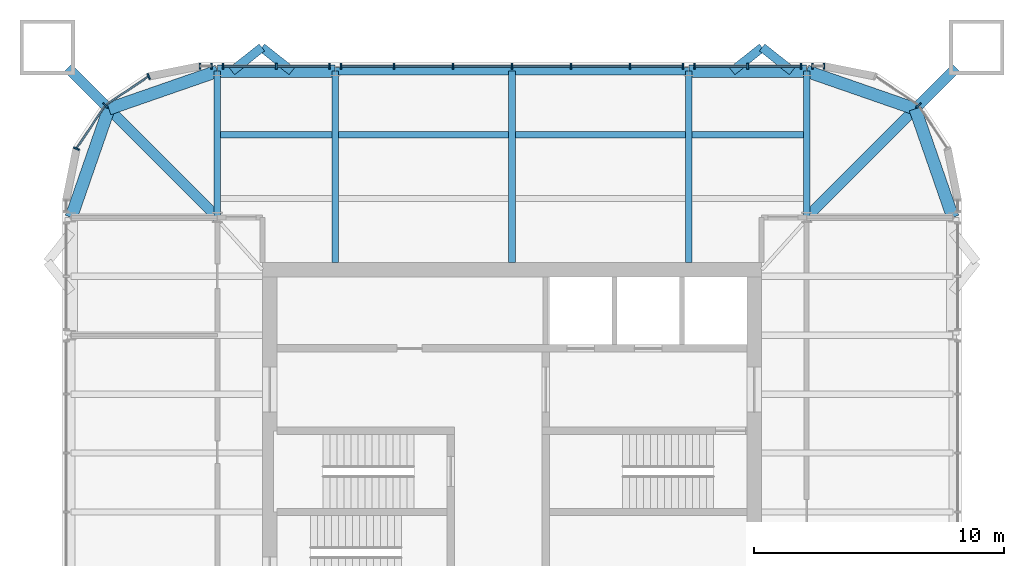
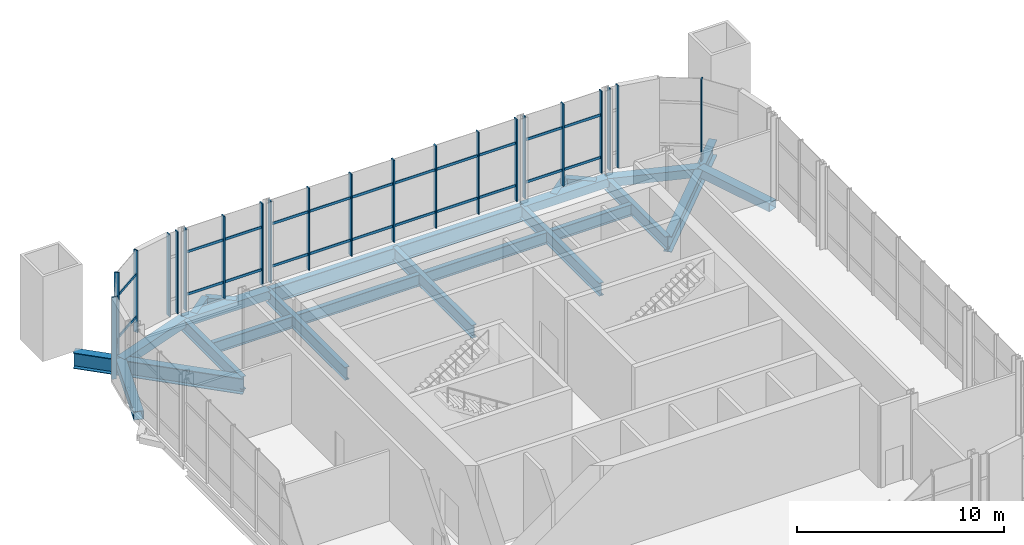
# One storey, part 5 of 15: 45 members, 22 beams, 7 elements without a shape of their own.
"""IFC4 building model written with IfcOpenShell, lengths in metres."""

import ifcopenshell
import ifcopenshell.guid

model = None  # the IFC model being written
_history = None  # IfcOwnerHistory: only IFC2X3 demands one
_inside = {}  # id of a spatial element -> (the spatial element, [elements in it])
_under = {}  # id of a project, library or spatial element -> (it, [spatial elements below it])
_declared = {}  # id of a project -> (the project, [libraries it declares])
_typed = {}  # id of a type object -> (the type object, [elements of that type])
_made_of = {}  # id of a material, layer set ... -> (it, [elements and type objects made of it])


def new_model(schema):
    """Start an empty IFC model of exactly this schema.

    Asked for "IFC4X3", IfcOpenShell would pick the latest addendum, in which some entities
    have other attributes; the version numbers below select the first issue.
    IFC2X3 requires an IfcOwnerHistory on every rooted entity: one is made here for all.
    """
    global model, _history
    if schema == "IFC4X3":
        model = ifcopenshell.file(schema_version=(4, 3, 0, 0))
    else:
        model = ifcopenshell.file(schema=schema)
    _inside.clear()
    _under.clear()
    _declared.clear()
    _typed.clear()
    _made_of.clear()
    _history = None
    if model.schema == "IFC2X3":
        org = make("IfcOrganization", Name="unknown")
        user = make(
            "IfcPersonAndOrganization",
            ThePerson=make("IfcPerson", FamilyName="unknown"),
            TheOrganization=org,
        )
        app = make(
            "IfcApplication",
            ApplicationDeveloper=org,
            Version="unknown",
            ApplicationFullName="unknown",
            ApplicationIdentifier="unknown",
        )
        _history = make(
            "IfcOwnerHistory",
            OwningUser=user,
            OwningApplication=app,
            ChangeAction="ADDED",
            CreationDate=0,
        )
    return model


def make(cls, **values):
    """One entity of the class cls with the attributes given. An attribute that is None is left unset."""
    return model.create_entity(
        cls, **{name: value for name, value in values.items() if value is not None}
    )


def rooted(cls, **values):
    """An entity with a GlobalId (a new one), such as an element, a storey or a relation."""
    return make(cls, GlobalId=ifcopenshell.guid.new(), OwnerHistory=_history, **values)


def si_unit(unit_type, name, prefix=None):
    """IfcSIUnit, for example si_unit("LENGTHUNIT", "METRE", prefix="MILLI")."""
    return make("IfcSIUnit", UnitType=unit_type, Prefix=prefix, Name=name)


def assignment(units):
    """IfcUnitAssignment: the units of a project."""
    return None if units is None else make("IfcUnitAssignment", Units=units)


def point(xyz):
    """IfcCartesianPoint."""
    return None if xyz is None else make("IfcCartesianPoint", Coordinates=xyz)


def direction(xyz):
    """IfcDirection."""
    return None if xyz is None else make("IfcDirection", DirectionRatios=xyz)


def frame(location, z_axis=None, x_axis=None):
    """IfcAxis2Placement3D, a coordinate frame: its origin and axes. An axis left out is left unset."""
    return make(
        "IfcAxis2Placement3D",
        Location=point(location),
        Axis=direction(z_axis),
        RefDirection=direction(x_axis),
    )


def frame_2d(location, x_axis=None):
    """IfcAxis2Placement2D, a coordinate frame in the plane: its origin and x axis."""
    return make(
        "IfcAxis2Placement2D", Location=point(location), RefDirection=direction(x_axis)
    )


def origin():
    """The frame at (0, 0, 0) with its axes left unset."""
    return frame((0.0, 0.0, 0.0))


def origin_2d():
    """The frame at (0, 0) in the plane with its x axis left unset."""
    return frame_2d((0.0, 0.0))


def place(relative_to, where):
    """IfcLocalPlacement: puts the frame where relative to a parent placement (None: the world)."""
    return make(
        "IfcLocalPlacement", PlacementRelTo=relative_to, RelativePlacement=where
    )


def context(
    kind, dimensions, precision=None, world=None, true_north=None, identifier=None
):
    """IfcGeometricRepresentationContext, for example the 3D "Model" context."""
    return make(
        "IfcGeometricRepresentationContext",
        ContextIdentifier=identifier,
        ContextType=kind,
        CoordinateSpaceDimension=dimensions,
        Precision=precision,
        WorldCoordinateSystem=world,
        TrueNorth=true_north,
    )


def subcontext(parent, identifier, kind, view, scale=None):
    """IfcGeometricRepresentationSubContext, for example "Body" below "Model"."""
    return make(
        "IfcGeometricRepresentationSubContext",
        ContextIdentifier=identifier,
        ContextType=kind,
        ParentContext=parent,
        TargetScale=scale,
        TargetView=view,
    )


def project(units=None, contexts=None):
    """IfcProject with its units and contexts."""
    return rooted(
        "IfcProject",
        Name="project",
        RepresentationContexts=contexts,
        UnitsInContext=assignment(units),
    )


def spatial(cls, under=None, at=None, **own):
    """A site, building, storey or space (cls), placed at a placement, below another one or the project."""
    s = rooted(cls, ObjectPlacement=at, **own)
    if under is not None:
        _under.setdefault(under.id(), (under, []))[1].append(s)
    return s


def profile(cls, at=None, kind="AREA", **sizes):
    """A parametric profile (cls). Its sizes go by their IFC names, for example OverallWidth=200.0."""
    return make(cls, ProfileType=kind, Position=at, **sizes)


def rectangle(**sizes):
    """IfcRectangleProfileDef."""
    return profile("IfcRectangleProfileDef", **sizes)


def hollow_rectangle(**sizes):
    """IfcRectangleHollowProfileDef."""
    return profile("IfcRectangleHollowProfileDef", **sizes)


def i_section(**sizes):
    """IfcIShapeProfileDef."""
    return profile("IfcIShapeProfileDef", **sizes)


def extrude(swept, where, along, depth):
    """IfcExtrudedAreaSolid: the profile swept, set in the frame where, extruded along a direction by depth."""
    return make(
        "IfcExtrudedAreaSolid",
        SweptArea=swept,
        Position=where,
        ExtrudedDirection=direction(along),
        Depth=depth,
    )


def shape(context_of_items, identifier, shape_type, items):
    """IfcShapeRepresentation: the items that make up one representation, for example the "Body"."""
    return make(
        "IfcShapeRepresentation",
        ContextOfItems=context_of_items,
        RepresentationIdentifier=identifier,
        RepresentationType=shape_type,
        Items=items,
    )


def material(Name=None, Category=None):
    """IfcMaterial."""
    return make("IfcMaterial", Name=Name, Category=Category)


def material_profile(
    of_material, cross_section, Name=None, Category=None, Priority=None
):
    """IfcMaterialProfile: a cross section and its material."""
    return make(
        "IfcMaterialProfile",
        Name=Name,
        Material=of_material,
        Profile=cross_section,
        Priority=Priority,
        Category=Category,
    )


def profile_set(profiles, Name=None, composite=None):
    """IfcMaterialProfileSet."""
    return make(
        "IfcMaterialProfileSet",
        Name=Name,
        MaterialProfiles=profiles,
        CompositeProfile=composite,
    )


def made_of(thing, what):
    """Note that an element or type object is made of a material, layer set ...; save() writes the relation."""
    if what is not None:
        _made_of.setdefault(what.id(), (what, []))[1].append(thing)
    return thing


def type_object(cls, material=None, **own):
    """A type object (cls), such as IfcWallType, which elements share."""
    return made_of(rooted(cls, **own), material)


def element(
    cls,
    number,
    at=None,
    inside=None,
    cuts=None,
    type_object=None,
    material=None,
    context=None,
    identifier="Body",
    shape_type=None,
    held_by="IfcProductDefinitionShape",
    body=None,
    shapes=None,
    **own,
):
    """One element of the class cls, such as IfcWall. Its Tag is "e" and its number.

    at: its placement. inside: the storey or other place that contains it. cuts: it is an
    opening in that element (IfcRelVoidsElement). A single representation is given by context,
    identifier, shape_type and body (its items); several are given by shapes. held_by: the class
    of the entity that holds the representations. save() writes the other relations.
    """
    e = rooted(cls, Tag="e%d" % number, ObjectPlacement=at, **own)
    if body is not None:
        shapes = [shape(context, identifier, shape_type, body)]
    if shapes is not None:
        e.Representation = make(held_by, Representations=shapes)
    if inside is not None:
        _inside.setdefault(inside.id(), (inside, []))[1].append(e)
    if cuts is not None:
        rooted(
            "IfcRelVoidsElement", RelatingBuildingElement=cuts, RelatedOpeningElement=e
        )
    if type_object is not None:
        _typed.setdefault(type_object.id(), (type_object, []))[1].append(e)
    return made_of(e, material)


def aggregate(whole, parts):
    """IfcRelAggregates: a whole, such as a stair, and the parts it consists of."""
    return rooted("IfcRelAggregates", RelatingObject=whole, RelatedObjects=parts)


def save(model, path):
    """Write the relations noted so far, then the file.

    IfcRelAggregates (storeys below a building ...), IfcRelContainedInSpatialStructure (elements
    in a storey), IfcRelDefinesByType, IfcRelAssociatesMaterial and IfcRelDeclares: one each for
    every whole, place, type object, material and project.
    """
    for whole, parts in _under.values():
        aggregate(whole, parts)
    for where, things in _inside.values():
        rooted(
            "IfcRelContainedInSpatialStructure",
            RelatedElements=things,
            RelatingStructure=where,
        )
    for kind, things in _typed.values():
        rooted("IfcRelDefinesByType", RelatedObjects=things, RelatingType=kind)
    for what, things in _made_of.values():
        rooted("IfcRelAssociatesMaterial", RelatedObjects=things, RelatingMaterial=what)
    for by, libraries in _declared.values():
        rooted("IfcRelDeclares", RelatingContext=by, RelatedDefinitions=libraries)
    model.write(path)


model = new_model("IFC4")

# Units and contexts
model_context = context("Model", 3, precision=1e-05, world=origin(), true_north=direction((0.0, 1.0)))
body_context = subcontext(model_context, "Body", "Model", "MODEL_VIEW")
ifc_project = project(units=[si_unit("LENGTHUNIT", "METRE"), si_unit("AREAUNIT", "SQUARE_METRE"), si_unit("VOLUMEUNIT", "CUBIC_METRE"), si_unit("PLANEANGLEUNIT", "RADIAN"), si_unit("MASSUNIT", "GRAM", prefix="KILO")], contexts=[model_context])

# Site, building, storey
site_placement = place(None, origin())
site = spatial("IfcSite", under=ifc_project, at=site_placement, CompositionType="ELEMENT")
building_placement = place(site_placement, origin())
building = spatial("IfcBuilding", under=site, at=building_placement, Name="Turquesa Mirador Hotel Tower", CompositionType="ELEMENT")
storey_placement = place(building_placement, frame((0.0, 0.0, 261.699951171875)))
storey = spatial("IfcBuildingStorey", under=building, at=storey_placement, Name="L71", CompositionType="ELEMENT", Elevation=261.699951171875)

# Beams
ifc_material_1 = material(Name="Steel ASTM A572 Grade 50", Category="steel")
ifc_material_profile_1 = material_profile(ifc_material_1, hollow_rectangle(XDim=0.5, YDim=0.5, WallThickness=0.01611328125, at=origin_2d()), Name="BOX500X500X16")
ifc_profile_set_1 = profile_set([ifc_material_profile_1], Name="Steel ASTM A572 Grade 50")
beam_type_1 = type_object("IfcBeamType", Name="BEAM BOX500X500X16", PredefinedType="BEAM", material=ifc_profile_set_1)
for number, where, z_axis, x_axis, name in (
    (1, (43.199951171875, 62.64990234375, -0.419921875), (1.0, 0.0, 0.0), (0.0, 1.0, 0.0), "EB-L71-N-L"),
    (2, (62.080078125, 62.64990234375, -0.419921875), (1.0, 0.0, 0.0), (0.0, 1.0, 0.0), "EB-L71-N-R"),
):
    element("IfcBeam", number, at=place(storey_placement, frame(where, z_axis=z_axis, x_axis=x_axis)), inside=storey, type_object=beam_type_1, Name=name, PredefinedType="BEAM", context=body_context, shape_type="SweptSolid", body=[
        extrude(hollow_rectangle(XDim=0.5, YDim=0.5, WallThickness=0.01611328125, at=origin_2d()), origin(), (0.0, 0.0, 1.0), 4.719970703125),
    ])
for number, where, z_axis, x_axis, name in (
    (3, (72.64990234375, 56.800048828125, -0.419921875), (-0.328170356092, 0.944618556552, 0.0), (-0.944618556552, -0.328170356092, 0.0), "KE-L71-1-0"),
    (4, (71.1416015625, 61.1416015625, -0.419921875), (-0.944618556552, 0.328170356092, 0.0), (-0.328170356092, -0.944618556552, 0.0), "KE-L71-1-1"),
    (5, (37.35009765625, 56.800048828125, -0.419921875), (0.328170356092, 0.944618556552, 0.0), (-0.944618556552, 0.328170356092, 0.0), "KE-L71-2-0"),
    (6, (38.8583984375, 61.1416015625, -0.419921875), (0.944618556552, 0.328170356092, 0.0), (-0.328170356092, 0.944618556552, 0.0), "KE-L71-2-1"),
):
    element("IfcBeam", number, at=place(storey_placement, frame(where, z_axis=z_axis, x_axis=x_axis)), inside=storey, type_object=beam_type_1, Name=name, PredefinedType="BEAM", context=body_context, shape_type="SweptSolid", body=[
        extrude(hollow_rectangle(XDim=0.5, YDim=0.5, WallThickness=0.01611328125, at=origin_2d()), origin(), (0.0, 0.0, 1.0), 4.59619140625),
    ])
ifc_material_2 = material(Name="Steel ASTM A992 Grade 50", Category="steel")
ifc_material_profile_2 = material_profile(ifc_material_2, i_section(OverallWidth=0.25390625, OverallDepth=0.683349609375, WebThickness=0.012451171875, FlangeThickness=0.018798828125, at=origin_2d()), Name="W27X94")
ifc_profile_set_2 = profile_set([ifc_material_profile_2], Name="Steel ASTM A992 Grade 50")
beam_type_2 = type_object("IfcBeamType", Name="BEAM W27X94", PredefinedType="BEAM", material=ifc_profile_set_2)
beam_1_placement = place(storey_placement, frame((43.333251953125, 60.10009765625, -0.511474609375), z_axis=(1.0, 0.0, 0.0), x_axis=(0.0, 1.0, 0.0)))
element("IfcBeam", 7, at=beam_1_placement, inside=storey, type_object=beam_type_2, Name="IB-L71-N-2-0", PredefinedType="BEAM", context=body_context, shape_type="SweptSolid", body=[
    extrude(i_section(OverallWidth=0.25390625, OverallDepth=0.683349609375, WebThickness=0.012451171875, FlangeThickness=0.018798828125, at=origin_2d()), origin(), (0.0, 0.0, 1.0), 4.453369140625),
])
for number, where, z_axis, x_axis, name in (
    (8, (48.053466796875, 60.10009765625, -0.511474609375), (1.0, 0.0, 0.0), (0.0, 1.0, 0.0), "IB-L71-N-2-1"),
    (9, (55.13330078125, 60.10009765625, -0.511474609375), (1.0, 0.0, 0.0), (0.0, 1.0, 0.0), "IB-L71-N-2-2"),
):
    element("IfcBeam", number, at=place(storey_placement, frame(where, z_axis=z_axis, x_axis=x_axis)), inside=storey, type_object=beam_type_2, Name=name, PredefinedType="BEAM", context=body_context, shape_type="SweptSolid", body=[
        extrude(i_section(OverallWidth=0.25390625, OverallDepth=0.683349609375, WebThickness=0.012451171875, FlangeThickness=0.018798828125, at=origin_2d()), origin(), (0.0, 0.0, 1.0), 6.813232421875),
    ])
beam_2_placement = place(storey_placement, frame((62.21337890625, 60.10009765625, -0.511474609375), z_axis=(1.0, 0.0, 0.0), x_axis=(0.0, 1.0, 0.0)))
element("IfcBeam", 10, at=beam_2_placement, inside=storey, type_object=beam_type_2, Name="IB-L71-N-2-3", PredefinedType="BEAM", context=body_context, shape_type="SweptSolid", body=[
    extrude(i_section(OverallWidth=0.25390625, OverallDepth=0.683349609375, WebThickness=0.012451171875, FlangeThickness=0.018798828125, at=origin_2d()), origin(), (0.0, 0.0, 1.0), 4.453369140625),
])
ifc_material_3 = material(Name="Steel ASTM A992 Grade 50", Category="steel")
ifc_material_profile_3 = material_profile(ifc_material_3, i_section(OverallWidth=0.2666015625, OverallDepth=0.761962890625, WebThickness=0.014404296875, FlangeThickness=0.021484375, at=origin_2d()), Name="W30X116")
ifc_profile_set_3 = profile_set([ifc_material_profile_3], Name="Steel ASTM A992 Grade 50")
beam_type_3 = type_object("IfcBeamType", Name="BEAM W30X116", PredefinedType="BEAM", material=ifc_profile_set_3)
for number, where, z_axis, x_axis, name in (
    (11, (47.919921875, 62.64990234375, -0.551025390625), (0.0, -1.0, 0.0), (1.0, 0.0, 0.0), "GD-L71-N--7.08"),
    (12, (62.080078125, 62.64990234375, -0.551025390625), (0.0, -1.0, 0.0), (1.0, 0.0, 0.0), "GD-L71-N-+7.08"),
    (13, (55.0, 62.64990234375, -0.551025390625), (0.0, -1.0, 0.0), (1.0, 0.0, 0.0), "GD-L71-N-+0.00"),
):
    element("IfcBeam", number, at=place(storey_placement, frame(where, z_axis=z_axis, x_axis=x_axis)), inside=storey, type_object=beam_type_3, Name=name, PredefinedType="BEAM", context=body_context, shape_type="SweptSolid", body=[
        extrude(i_section(OverallWidth=0.2666015625, OverallDepth=0.761962890625, WebThickness=0.014404296875, FlangeThickness=0.021484375, at=origin_2d()), origin(), (0.0, 0.0, 1.0), 7.64990234375),
    ])
for number, where, z_axis, x_axis, name in (
    (14, (43.199951171875, 62.64990234375, -0.551025390625), (0.0, -1.0, 0.0), (1.0, 0.0, 0.0), "GK-L71-N--11.80"),
    (15, (66.800048828125, 62.64990234375, -0.551025390625), (0.0, -1.0, 0.0), (1.0, 0.0, 0.0), "GK-L71-N-+11.80"),
):
    element("IfcBeam", number, at=place(storey_placement, frame(where, z_axis=z_axis, x_axis=x_axis)), inside=storey, type_object=beam_type_3, Name=name, PredefinedType="BEAM", context=body_context, shape_type="SweptSolid", body=[
        extrude(i_section(OverallWidth=0.2666015625, OverallDepth=0.761962890625, WebThickness=0.014404296875, FlangeThickness=0.021484375, at=origin_2d()), origin(), (0.0, 0.0, 1.0), 5.849853515625),
    ])
ifc_material_4 = material(Name="Steel ASTM A992 Grade 50", Category="steel")
ifc_material_profile_4 = material_profile(ifc_material_4, i_section(OverallWidth=0.3046875, OverallDepth=0.911865234375, WebThickness=0.015869140625, FlangeThickness=0.02392578125, at=origin_2d()), Name="W36X150")
ifc_profile_set_4 = profile_set([ifc_material_profile_4], Name="Steel ASTM A992 Grade 50")
beam_type_4 = type_object("IfcBeamType", Name="BEAM W36X150", PredefinedType="BEAM", material=ifc_profile_set_4)
beam_3_placement = place(storey_placement, frame((47.919921875, 62.64990234375, -0.6259765625), z_axis=(1.0, 0.0, 0.0), x_axis=(0.0, 1.0, 0.0)))
element("IfcBeam", 16, at=beam_3_placement, inside=storey, type_object=beam_type_4, Name="EB-L71-N-C", PredefinedType="BEAM", context=body_context, shape_type="SweptSolid", body=[
    extrude(i_section(OverallWidth=0.3046875, OverallDepth=0.911865234375, WebThickness=0.015869140625, FlangeThickness=0.02392578125, at=origin_2d()), origin(), (0.0, 0.0, 1.0), 14.16015625),
])
ifc_material_5 = material(Name="Steel ASTM A992 Grade 50", Category="steel")
ifc_material_profile_5 = material_profile(ifc_material_5, i_section(OverallWidth=0.419189453125, OverallDepth=0.927001953125, WebThickness=0.019287109375, FlangeThickness=0.031982421875, at=origin_2d()), Name="W36X231")
ifc_profile_set_5 = profile_set([ifc_material_profile_5], Name="Steel ASTM A992 Grade 50")
beam_type_5 = type_object("IfcBeamType", Name="BEAM W36X231", PredefinedType="BEAM", material=ifc_profile_set_5)
for number, where, z_axis, x_axis, name in (
    (17, (66.800048828125, 56.800048828125, -0.633544921875), (0.707106781187, 0.707106781187, 0.0), (-0.707106781187, 0.707106781187, 0.0), "KD-L71-1"),
    (18, (43.199951171875, 56.800048828125, -0.633544921875), (-0.707106781187, 0.707106781187, 0.0), (-0.707106781187, -0.707106781187, 0.0), "KD-L71-2"),
):
    element("IfcBeam", number, at=place(storey_placement, frame(where, z_axis=z_axis, x_axis=x_axis)), inside=storey, type_object=beam_type_5, Name=name, PredefinedType="BEAM", context=body_context, shape_type="SweptSolid", body=[
        extrude(i_section(OverallWidth=0.419189453125, OverallDepth=0.927001953125, WebThickness=0.019287109375, FlangeThickness=0.031982421875, at=origin_2d()), origin(), (0.0, 0.0, 1.0), 8.46240234375),
    ])
ifc_material_6 = material(Name="Steel ASTM A500 Grade C", Category="steel")
ifc_material_profile_6 = material_profile(ifc_material_6, hollow_rectangle(XDim=0.355712890625, YDim=0.355712890625, WallThickness=0.0146484375, at=origin_2d()), Name="HSS14X14X5/8")
ifc_profile_set_6 = profile_set([ifc_material_profile_6], Name="Steel ASTM A500 Grade C")
beam_type_6 = type_object("IfcBeamType", Name="BRACE STRUT HSS14X14X5/8", PredefinedType="BEAM", material=ifc_profile_set_6)
for number, where, z_axis, x_axis, name in (
    (19, (65.015380859375, 63.60009765625, -0.34765625), (-0.783971428146, -0.620796907089, 0.0), (0.620796907089, -0.783971428146, 0.0), "Brace strut"),
    (20, (65.015380859375, 63.60009765625, -0.34765625), (0.783971428146, -0.620796907089, 0.0), (0.620796907089, 0.783971428146, 0.0), "Brace strut"),
    (21, (44.984619140625, 63.60009765625, -0.34765625), (-0.783971428146, -0.620796907089, 0.0), (0.620796907089, -0.783971428146, 0.0), "Brace strut"),
    (22, (44.984619140625, 63.60009765625, -0.34765625), (0.783971428146, -0.620796907089, 0.0), (0.620796907089, 0.783971428146, 0.0), "Brace strut"),
):
    element("IfcBeam", number, at=place(storey_placement, frame(where, z_axis=z_axis, x_axis=x_axis)), inside=storey, type_object=beam_type_6, Name=name, PredefinedType="BEAM", context=body_context, shape_type="SweptSolid", body=[
        extrude(hollow_rectangle(XDim=0.355712890625, YDim=0.355712890625, WallThickness=0.0146484375, at=origin_2d()), origin(), (0.0, 0.0, 1.0), 1.530517578125),
    ])

# Curtain wall, member
ifc_material_7 = material(Name="Aluminium extrusion", Category="aluminium")
curtain_wall_type = type_object("IfcCurtainWallType", Name="CW-5 SKY RESTAURANT CURTAIN WALL", PredefinedType="USERDEFINED", material=ifc_material_7)
curtain_wall_1_placement = place(storey_placement, origin())
curtain_wall_1 = element("IfcCurtainWall", 23, at=curtain_wall_1_placement, inside=storey, type_object=curtain_wall_type, Name="CW-5 SKY RESTAURANT CURTAIN WALL L71", ObjectType="CURTAIN WALL", PredefinedType="USERDEFINED")
ifc_material_8 = material(Name="Aluminium extrusion", Category="aluminium")
ifc_material_profile_7 = material_profile(ifc_material_8, rectangle(XDim=0.06494140625, YDim=0.25, at=origin_2d()), Name="MULLION 65X250")
ifc_profile_set_7 = profile_set([ifc_material_profile_7], Name="Aluminium extrusion")
member_type_1 = type_object("IfcMemberType", Name="CW MULLION 65X250", PredefinedType="MULLION", material=ifc_profile_set_7)
member_1_placement = place(storey_placement, frame((71.282958984375, 61.282958984375, 0.0), z_axis=(0.0, 0.0, 1.0), x_axis=(-0.707106781187, 0.707106781187, 0.0)))
member_1 = element("IfcMember", 24, at=member_1_placement, type_object=member_type_1, Name="Mullion", PredefinedType="MULLION", context=body_context, shape_type="SweptSolid", body=[
    extrude(rectangle(XDim=0.06494140625, YDim=0.25, at=origin_2d()), origin(), (0.0, 0.0, 1.0), 4.830078125),
])
aggregate(curtain_wall_1, [member_1])

# Curtain wall, members
curtain_wall_2_placement = place(storey_placement, origin())
curtain_wall_2 = element("IfcCurtainWall", 25, at=curtain_wall_2_placement, inside=storey, type_object=curtain_wall_type, Name="CW-5 SKY RESTAURANT CURTAIN WALL L71", ObjectType="CURTAIN WALL", PredefinedType="USERDEFINED")
member_2_placement = place(storey_placement, frame((67.5, 62.85009765625, 0.0), z_axis=(0.0, 0.0, 1.0), x_axis=(-1.0, 0.0, 0.0)))
member_2 = element("IfcMember", 26, at=member_2_placement, type_object=member_type_1, Name="Mullion", PredefinedType="MULLION", context=body_context, shape_type="SweptSolid", body=[
    extrude(rectangle(XDim=0.06494140625, YDim=0.25, at=origin_2d()), origin(), (0.0, 0.0, 1.0), 4.830078125),
])
member_3_placement = place(storey_placement, frame((67.033935546875, 62.85009765625, 0.0), z_axis=(0.0, 0.0, 1.0), x_axis=(-1.0, 0.0, 0.0)))
member_3 = element("IfcMember", 27, at=member_3_placement, type_object=member_type_1, Name="Mullion", PredefinedType="MULLION", context=body_context, shape_type="SweptSolid", body=[
    extrude(rectangle(XDim=0.06494140625, YDim=0.25, at=origin_2d()), origin(), (0.0, 0.0, 1.0), 4.830078125),
])
aggregate(curtain_wall_2, [member_2, member_3])

curtain_wall_3_placement = place(storey_placement, origin())
curtain_wall_3 = element("IfcCurtainWall", 28, at=curtain_wall_3_placement, inside=storey, type_object=curtain_wall_type, Name="CW-5 SKY RESTAURANT CURTAIN WALL L71", ObjectType="CURTAIN WALL", PredefinedType="USERDEFINED")
member_4_placement = place(storey_placement, frame((66.566162109375, 62.85009765625, 0.0), z_axis=(0.0, 0.0, 1.0), x_axis=(-1.0, 0.0, 0.0)))
member_4 = element("IfcMember", 29, at=member_4_placement, type_object=member_type_1, Name="Mullion", PredefinedType="MULLION", context=body_context, shape_type="SweptSolid", body=[
    extrude(rectangle(XDim=0.06494140625, YDim=0.25, at=origin_2d()), origin(), (0.0, 0.0, 1.0), 4.830078125),
])
member_5_placement = place(storey_placement, frame((64.43994140625, 62.85009765625, 0.0), z_axis=(0.0, 0.0, 1.0), x_axis=(-1.0, 0.0, 0.0)))
member_5 = element("IfcMember", 30, at=member_5_placement, type_object=member_type_1, Name="Mullion", PredefinedType="MULLION", context=body_context, shape_type="SweptSolid", body=[
    extrude(rectangle(XDim=0.06494140625, YDim=0.25, at=origin_2d()), origin(), (0.0, 0.0, 1.0), 4.830078125),
])
member_6_placement = place(storey_placement, frame((62.31396484375, 62.85009765625, 0.0), z_axis=(0.0, 0.0, 1.0), x_axis=(-1.0, 0.0, 0.0)))
member_6 = element("IfcMember", 31, at=member_6_placement, type_object=member_type_1, Name="Mullion", PredefinedType="MULLION", context=body_context, shape_type="SweptSolid", body=[
    extrude(rectangle(XDim=0.06494140625, YDim=0.25, at=origin_2d()), origin(), (0.0, 0.0, 1.0), 4.830078125),
])

curtain_wall_4_placement = place(storey_placement, origin())
curtain_wall_4 = element("IfcCurtainWall", 32, at=curtain_wall_4_placement, inside=storey, type_object=curtain_wall_type, Name="CW-5 SKY RESTAURANT CURTAIN WALL L71", ObjectType="CURTAIN WALL", PredefinedType="USERDEFINED")
member_7_placement = place(storey_placement, frame((61.84619140625, 62.85009765625, 0.0), z_axis=(0.0, 0.0, 1.0), x_axis=(-1.0, 0.0, 0.0)))
member_7 = element("IfcMember", 33, at=member_7_placement, type_object=member_type_1, Name="Mullion", PredefinedType="MULLION", context=body_context, shape_type="SweptSolid", body=[
    extrude(rectangle(XDim=0.06494140625, YDim=0.25, at=origin_2d()), origin(), (0.0, 0.0, 1.0), 4.830078125),
])
member_8_placement = place(storey_placement, frame((59.719970703125, 62.85009765625, 0.0), z_axis=(0.0, 0.0, 1.0), x_axis=(-1.0, 0.0, 0.0)))
member_8 = element("IfcMember", 34, at=member_8_placement, type_object=member_type_1, Name="Mullion", PredefinedType="MULLION", context=body_context, shape_type="SweptSolid", body=[
    extrude(rectangle(XDim=0.06494140625, YDim=0.25, at=origin_2d()), origin(), (0.0, 0.0, 1.0), 4.830078125),
])
member_9_placement = place(storey_placement, frame((57.360107421875, 62.85009765625, 0.0), z_axis=(0.0, 0.0, 1.0), x_axis=(-1.0, 0.0, 0.0)))
member_9 = element("IfcMember", 35, at=member_9_placement, type_object=member_type_1, Name="Mullion", PredefinedType="MULLION", context=body_context, shape_type="SweptSolid", body=[
    extrude(rectangle(XDim=0.06494140625, YDim=0.25, at=origin_2d()), origin(), (0.0, 0.0, 1.0), 4.830078125),
])
member_10_placement = place(storey_placement, frame((55.0, 62.85009765625, 0.0), z_axis=(0.0, 0.0, 1.0), x_axis=(-1.0, 0.0, 0.0)))
member_10 = element("IfcMember", 36, at=member_10_placement, type_object=member_type_1, Name="Mullion", PredefinedType="MULLION", context=body_context, shape_type="SweptSolid", body=[
    extrude(rectangle(XDim=0.06494140625, YDim=0.25, at=origin_2d()), origin(), (0.0, 0.0, 1.0), 4.830078125),
])
member_11_placement = place(storey_placement, frame((52.639892578125, 62.85009765625, 0.0), z_axis=(0.0, 0.0, 1.0), x_axis=(-1.0, 0.0, 0.0)))
member_11 = element("IfcMember", 37, at=member_11_placement, type_object=member_type_1, Name="Mullion", PredefinedType="MULLION", context=body_context, shape_type="SweptSolid", body=[
    extrude(rectangle(XDim=0.06494140625, YDim=0.25, at=origin_2d()), origin(), (0.0, 0.0, 1.0), 4.830078125),
])
member_12_placement = place(storey_placement, frame((50.280029296875, 62.85009765625, 0.0), z_axis=(0.0, 0.0, 1.0), x_axis=(-1.0, 0.0, 0.0)))
member_12 = element("IfcMember", 38, at=member_12_placement, type_object=member_type_1, Name="Mullion", PredefinedType="MULLION", context=body_context, shape_type="SweptSolid", body=[
    extrude(rectangle(XDim=0.06494140625, YDim=0.25, at=origin_2d()), origin(), (0.0, 0.0, 1.0), 4.830078125),
])
member_13_placement = place(storey_placement, frame((48.15380859375, 62.85009765625, 0.0), z_axis=(0.0, 0.0, 1.0), x_axis=(-1.0, 0.0, 0.0)))
member_13 = element("IfcMember", 39, at=member_13_placement, type_object=member_type_1, Name="Mullion", PredefinedType="MULLION", context=body_context, shape_type="SweptSolid", body=[
    extrude(rectangle(XDim=0.06494140625, YDim=0.25, at=origin_2d()), origin(), (0.0, 0.0, 1.0), 4.830078125),
])

curtain_wall_5_placement = place(storey_placement, origin())
curtain_wall_5 = element("IfcCurtainWall", 40, at=curtain_wall_5_placement, inside=storey, type_object=curtain_wall_type, Name="CW-5 SKY RESTAURANT CURTAIN WALL L71", ObjectType="CURTAIN WALL", PredefinedType="USERDEFINED")
member_14_placement = place(storey_placement, frame((47.68603515625, 62.85009765625, 0.0), z_axis=(0.0, 0.0, 1.0), x_axis=(-1.0, 0.0, 0.0)))
member_14 = element("IfcMember", 41, at=member_14_placement, type_object=member_type_1, Name="Mullion", PredefinedType="MULLION", context=body_context, shape_type="SweptSolid", body=[
    extrude(rectangle(XDim=0.06494140625, YDim=0.25, at=origin_2d()), origin(), (0.0, 0.0, 1.0), 4.830078125),
])
member_15_placement = place(storey_placement, frame((45.56005859375, 62.85009765625, 0.0), z_axis=(0.0, 0.0, 1.0), x_axis=(-1.0, 0.0, 0.0)))
member_15 = element("IfcMember", 42, at=member_15_placement, type_object=member_type_1, Name="Mullion", PredefinedType="MULLION", context=body_context, shape_type="SweptSolid", body=[
    extrude(rectangle(XDim=0.06494140625, YDim=0.25, at=origin_2d()), origin(), (0.0, 0.0, 1.0), 4.830078125),
])
member_16_placement = place(storey_placement, frame((43.433837890625, 62.85009765625, 0.0), z_axis=(0.0, 0.0, 1.0), x_axis=(-1.0, 0.0, 0.0)))
member_16 = element("IfcMember", 43, at=member_16_placement, type_object=member_type_1, Name="Mullion", PredefinedType="MULLION", context=body_context, shape_type="SweptSolid", body=[
    extrude(rectangle(XDim=0.06494140625, YDim=0.25, at=origin_2d()), origin(), (0.0, 0.0, 1.0), 4.830078125),
])

curtain_wall_6_placement = place(storey_placement, origin())
curtain_wall_6 = element("IfcCurtainWall", 44, at=curtain_wall_6_placement, inside=storey, type_object=curtain_wall_type, Name="CW-5 SKY RESTAURANT CURTAIN WALL L71", ObjectType="CURTAIN WALL", PredefinedType="USERDEFINED")
member_17_placement = place(storey_placement, frame((42.966064453125, 62.85009765625, 0.0), z_axis=(0.0, 0.0, 1.0), x_axis=(-1.0, 0.0, 0.0)))
member_17 = element("IfcMember", 45, at=member_17_placement, type_object=member_type_1, Name="Mullion", PredefinedType="MULLION", context=body_context, shape_type="SweptSolid", body=[
    extrude(rectangle(XDim=0.06494140625, YDim=0.25, at=origin_2d()), origin(), (0.0, 0.0, 1.0), 4.830078125),
])
member_18_placement = place(storey_placement, frame((42.5, 62.85009765625, 0.0), z_axis=(0.0, 0.0, 1.0), x_axis=(-1.0, 0.0, 0.0)))
member_18 = element("IfcMember", 46, at=member_18_placement, type_object=member_type_1, Name="Mullion", PredefinedType="MULLION", context=body_context, shape_type="SweptSolid", body=[
    extrude(rectangle(XDim=0.06494140625, YDim=0.25, at=origin_2d()), origin(), (0.0, 0.0, 1.0), 4.830078125),
])
aggregate(curtain_wall_6, [member_17, member_18])

curtain_wall_7_placement = place(storey_placement, origin())
curtain_wall_7 = element("IfcCurtainWall", 47, at=curtain_wall_7_placement, inside=storey, type_object=curtain_wall_type, Name="CW-5 SKY RESTAURANT CURTAIN WALL L71", ObjectType="CURTAIN WALL", PredefinedType="USERDEFINED")
member_19_placement = place(storey_placement, frame((40.45263671875, 62.44287109375, 0.0), z_axis=(0.0, 0.0, 1.0), x_axis=(-0.923879532511, -0.382683432365, 0.0)))
member_19 = element("IfcMember", 48, at=member_19_placement, type_object=member_type_1, Name="Mullion", PredefinedType="MULLION", context=body_context, shape_type="SweptSolid", body=[
    extrude(rectangle(XDim=0.06494140625, YDim=0.25, at=origin_2d()), origin(), (0.0, 0.0, 1.0), 4.830078125),
])
member_20_placement = place(storey_placement, frame((38.717041015625, 61.282958984375, 0.0), z_axis=(0.0, 0.0, 1.0), x_axis=(-0.707106781187, -0.707106781187, 0.0)))
member_20 = element("IfcMember", 49, at=member_20_placement, type_object=member_type_1, Name="Mullion", PredefinedType="MULLION", context=body_context, shape_type="SweptSolid", body=[
    extrude(rectangle(XDim=0.06494140625, YDim=0.25, at=origin_2d()), origin(), (0.0, 0.0, 1.0), 4.830078125),
])
member_21_placement = place(storey_placement, frame((37.55712890625, 59.54736328125, 0.0), z_axis=(0.0, 0.0, 1.0), x_axis=(-0.382683432365, -0.923879532511, 0.0)))
member_21 = element("IfcMember", 50, at=member_21_placement, type_object=member_type_1, Name="Mullion", PredefinedType="MULLION", context=body_context, shape_type="SweptSolid", body=[
    extrude(rectangle(XDim=0.06494140625, YDim=0.25, at=origin_2d()), origin(), (0.0, 0.0, 1.0), 4.830078125),
])

# Member
ifc_material_9 = material(Name="Aluminium extrusion", Category="aluminium")
ifc_material_profile_8 = material_profile(ifc_material_9, rectangle(XDim=0.06494140625, YDim=0.14990234375, at=origin_2d()), Name="TRANSOM 65X150")
ifc_profile_set_8 = profile_set([ifc_material_profile_8], Name="Aluminium extrusion")
member_type_2 = type_object("IfcMemberType", Name="CW TRANSOM 65X150", PredefinedType="USERDEFINED", material=ifc_profile_set_8)
member_22_placement = place(storey_placement, frame((66.53369140625, 62.85009765625, 0.900146484375), z_axis=(-1.0, 0.0, 0.0), x_axis=(0.0, -1.0, 0.0)))
member_22 = element("IfcMember", 51, at=member_22_placement, type_object=member_type_2, Name="Transom", ObjectType="TRANSOM", PredefinedType="USERDEFINED", context=body_context, shape_type="SweptSolid", body=[
    extrude(rectangle(XDim=0.06494140625, YDim=0.14990234375, at=origin_2d()), origin(), (0.0, 0.0, 1.0), 2.061279296875),
])

member_23_placement = place(storey_placement, frame((66.53369140625, 62.85009765625, 3.400146484375), z_axis=(-1.0, 0.0, 0.0), x_axis=(0.0, -1.0, 0.0)))
member_23 = element("IfcMember", 52, at=member_23_placement, type_object=member_type_2, Name="Transom", ObjectType="TRANSOM", PredefinedType="USERDEFINED", context=body_context, shape_type="SweptSolid", body=[
    extrude(rectangle(XDim=0.06494140625, YDim=0.14990234375, at=origin_2d()), origin(), (0.0, 0.0, 1.0), 2.061279296875),
])

member_24_placement = place(storey_placement, frame((64.407470703125, 62.85009765625, 0.900146484375), z_axis=(-1.0, 0.0, 0.0), x_axis=(0.0, -1.0, 0.0)))
member_24 = element("IfcMember", 53, at=member_24_placement, type_object=member_type_2, Name="Transom", ObjectType="TRANSOM", PredefinedType="USERDEFINED", context=body_context, shape_type="SweptSolid", body=[
    extrude(rectangle(XDim=0.06494140625, YDim=0.14990234375, at=origin_2d()), origin(), (0.0, 0.0, 1.0), 2.06103515625),
])

member_25_placement = place(storey_placement, frame((64.407470703125, 62.85009765625, 3.400146484375), z_axis=(-1.0, 0.0, 0.0), x_axis=(0.0, -1.0, 0.0)))
member_25 = element("IfcMember", 54, at=member_25_placement, type_object=member_type_2, Name="Transom", ObjectType="TRANSOM", PredefinedType="USERDEFINED", context=body_context, shape_type="SweptSolid", body=[
    extrude(rectangle(XDim=0.06494140625, YDim=0.14990234375, at=origin_2d()), origin(), (0.0, 0.0, 1.0), 2.06103515625),
])

aggregate(curtain_wall_3, [member_4, member_5, member_6, member_22, member_23, member_24, member_25])

member_26_placement = place(storey_placement, frame((61.813720703125, 62.85009765625, 0.900146484375), z_axis=(-1.0, 0.0, 0.0), x_axis=(0.0, -1.0, 0.0)))
member_26 = element("IfcMember", 55, at=member_26_placement, type_object=member_type_2, Name="Transom", ObjectType="TRANSOM", PredefinedType="USERDEFINED", context=body_context, shape_type="SweptSolid", body=[
    extrude(rectangle(XDim=0.06494140625, YDim=0.14990234375, at=origin_2d()), origin(), (0.0, 0.0, 1.0), 2.061279296875),
])

member_27_placement = place(storey_placement, frame((61.813720703125, 62.85009765625, 3.400146484375), z_axis=(-1.0, 0.0, 0.0), x_axis=(0.0, -1.0, 0.0)))
member_27 = element("IfcMember", 56, at=member_27_placement, type_object=member_type_2, Name="Transom", ObjectType="TRANSOM", PredefinedType="USERDEFINED", context=body_context, shape_type="SweptSolid", body=[
    extrude(rectangle(XDim=0.06494140625, YDim=0.14990234375, at=origin_2d()), origin(), (0.0, 0.0, 1.0), 2.061279296875),
])

member_28_placement = place(storey_placement, frame((59.6875, 62.85009765625, 0.900146484375), z_axis=(-1.0, 0.0, 0.0), x_axis=(0.0, -1.0, 0.0)))
member_28 = element("IfcMember", 57, at=member_28_placement, type_object=member_type_2, Name="Transom", ObjectType="TRANSOM", PredefinedType="USERDEFINED", context=body_context, shape_type="SweptSolid", body=[
    extrude(rectangle(XDim=0.06494140625, YDim=0.14990234375, at=origin_2d()), origin(), (0.0, 0.0, 1.0), 2.294921875),
])

member_29_placement = place(storey_placement, frame((59.6875, 62.85009765625, 3.400146484375), z_axis=(-1.0, 0.0, 0.0), x_axis=(0.0, -1.0, 0.0)))
member_29 = element("IfcMember", 58, at=member_29_placement, type_object=member_type_2, Name="Transom", ObjectType="TRANSOM", PredefinedType="USERDEFINED", context=body_context, shape_type="SweptSolid", body=[
    extrude(rectangle(XDim=0.06494140625, YDim=0.14990234375, at=origin_2d()), origin(), (0.0, 0.0, 1.0), 2.294921875),
])

member_30_placement = place(storey_placement, frame((57.327392578125, 62.85009765625, 0.900146484375), z_axis=(-1.0, 0.0, 0.0), x_axis=(0.0, -1.0, 0.0)))
member_30 = element("IfcMember", 59, at=member_30_placement, type_object=member_type_2, Name="Transom", ObjectType="TRANSOM", PredefinedType="USERDEFINED", context=body_context, shape_type="SweptSolid", body=[
    extrude(rectangle(XDim=0.06494140625, YDim=0.14990234375, at=origin_2d()), origin(), (0.0, 0.0, 1.0), 2.294921875),
])

member_31_placement = place(storey_placement, frame((57.327392578125, 62.85009765625, 3.400146484375), z_axis=(-1.0, 0.0, 0.0), x_axis=(0.0, -1.0, 0.0)))
member_31 = element("IfcMember", 60, at=member_31_placement, type_object=member_type_2, Name="Transom", ObjectType="TRANSOM", PredefinedType="USERDEFINED", context=body_context, shape_type="SweptSolid", body=[
    extrude(rectangle(XDim=0.06494140625, YDim=0.14990234375, at=origin_2d()), origin(), (0.0, 0.0, 1.0), 2.294921875),
])

member_32_placement = place(storey_placement, frame((54.967529296875, 62.85009765625, 0.900146484375), z_axis=(-1.0, 0.0, 0.0), x_axis=(0.0, -1.0, 0.0)))
member_32 = element("IfcMember", 61, at=member_32_placement, type_object=member_type_2, Name="Transom", ObjectType="TRANSOM", PredefinedType="USERDEFINED", context=body_context, shape_type="SweptSolid", body=[
    extrude(rectangle(XDim=0.06494140625, YDim=0.14990234375, at=origin_2d()), origin(), (0.0, 0.0, 1.0), 2.294921875),
])

member_33_placement = place(storey_placement, frame((54.967529296875, 62.85009765625, 3.400146484375), z_axis=(-1.0, 0.0, 0.0), x_axis=(0.0, -1.0, 0.0)))
member_33 = element("IfcMember", 62, at=member_33_placement, type_object=member_type_2, Name="Transom", ObjectType="TRANSOM", PredefinedType="USERDEFINED", context=body_context, shape_type="SweptSolid", body=[
    extrude(rectangle(XDim=0.06494140625, YDim=0.14990234375, at=origin_2d()), origin(), (0.0, 0.0, 1.0), 2.294921875),
])

member_34_placement = place(storey_placement, frame((52.607421875, 62.85009765625, 0.900146484375), z_axis=(-1.0, 0.0, 0.0), x_axis=(0.0, -1.0, 0.0)))
member_34 = element("IfcMember", 63, at=member_34_placement, type_object=member_type_2, Name="Transom", ObjectType="TRANSOM", PredefinedType="USERDEFINED", context=body_context, shape_type="SweptSolid", body=[
    extrude(rectangle(XDim=0.06494140625, YDim=0.14990234375, at=origin_2d()), origin(), (0.0, 0.0, 1.0), 2.294921875),
])

member_35_placement = place(storey_placement, frame((52.607421875, 62.85009765625, 3.400146484375), z_axis=(-1.0, 0.0, 0.0), x_axis=(0.0, -1.0, 0.0)))
member_35 = element("IfcMember", 64, at=member_35_placement, type_object=member_type_2, Name="Transom", ObjectType="TRANSOM", PredefinedType="USERDEFINED", context=body_context, shape_type="SweptSolid", body=[
    extrude(rectangle(XDim=0.06494140625, YDim=0.14990234375, at=origin_2d()), origin(), (0.0, 0.0, 1.0), 2.294921875),
])

member_36_placement = place(storey_placement, frame((50.24755859375, 62.85009765625, 0.900146484375), z_axis=(-1.0, 0.0, 0.0), x_axis=(0.0, -1.0, 0.0)))
member_36 = element("IfcMember", 65, at=member_36_placement, type_object=member_type_2, Name="Transom", ObjectType="TRANSOM", PredefinedType="USERDEFINED", context=body_context, shape_type="SweptSolid", body=[
    extrude(rectangle(XDim=0.06494140625, YDim=0.14990234375, at=origin_2d()), origin(), (0.0, 0.0, 1.0), 2.061279296875),
])

member_37_placement = place(storey_placement, frame((50.24755859375, 62.85009765625, 3.400146484375), z_axis=(-1.0, 0.0, 0.0), x_axis=(0.0, -1.0, 0.0)))
member_37 = element("IfcMember", 66, at=member_37_placement, type_object=member_type_2, Name="Transom", ObjectType="TRANSOM", PredefinedType="USERDEFINED", context=body_context, shape_type="SweptSolid", body=[
    extrude(rectangle(XDim=0.06494140625, YDim=0.14990234375, at=origin_2d()), origin(), (0.0, 0.0, 1.0), 2.061279296875),
])

aggregate(curtain_wall_4, [member_7, member_8, member_9, member_10, member_11, member_12, member_13, member_26, member_27, member_28, member_29, member_30, member_31, member_32, member_33, member_34, member_35, member_36, member_37])

member_38_placement = place(storey_placement, frame((47.653564453125, 62.85009765625, 0.900146484375), z_axis=(-1.0, 0.0, 0.0), x_axis=(0.0, -1.0, 0.0)))
member_38 = element("IfcMember", 67, at=member_38_placement, type_object=member_type_2, Name="Transom", ObjectType="TRANSOM", PredefinedType="USERDEFINED", context=body_context, shape_type="SweptSolid", body=[
    extrude(rectangle(XDim=0.06494140625, YDim=0.14990234375, at=origin_2d()), origin(), (0.0, 0.0, 1.0), 2.06103515625),
])

member_39_placement = place(storey_placement, frame((47.653564453125, 62.85009765625, 3.400146484375), z_axis=(-1.0, 0.0, 0.0), x_axis=(0.0, -1.0, 0.0)))
member_39 = element("IfcMember", 68, at=member_39_placement, type_object=member_type_2, Name="Transom", ObjectType="TRANSOM", PredefinedType="USERDEFINED", context=body_context, shape_type="SweptSolid", body=[
    extrude(rectangle(XDim=0.06494140625, YDim=0.14990234375, at=origin_2d()), origin(), (0.0, 0.0, 1.0), 2.06103515625),
])

member_40_placement = place(storey_placement, frame((45.527587890625, 62.85009765625, 0.900146484375), z_axis=(-1.0, 0.0, 0.0), x_axis=(0.0, -1.0, 0.0)))
member_40 = element("IfcMember", 69, at=member_40_placement, type_object=member_type_2, Name="Transom", ObjectType="TRANSOM", PredefinedType="USERDEFINED", context=body_context, shape_type="SweptSolid", body=[
    extrude(rectangle(XDim=0.06494140625, YDim=0.14990234375, at=origin_2d()), origin(), (0.0, 0.0, 1.0), 2.061279296875),
])

member_41_placement = place(storey_placement, frame((45.527587890625, 62.85009765625, 3.400146484375), z_axis=(-1.0, 0.0, 0.0), x_axis=(0.0, -1.0, 0.0)))
member_41 = element("IfcMember", 70, at=member_41_placement, type_object=member_type_2, Name="Transom", ObjectType="TRANSOM", PredefinedType="USERDEFINED", context=body_context, shape_type="SweptSolid", body=[
    extrude(rectangle(XDim=0.06494140625, YDim=0.14990234375, at=origin_2d()), origin(), (0.0, 0.0, 1.0), 2.061279296875),
])

aggregate(curtain_wall_5, [member_14, member_15, member_16, member_38, member_39, member_40, member_41])

member_42_placement = place(storey_placement, frame((40.425537109375, 62.4248046875, 0.900146484375), z_axis=(-0.831436961136, -0.555619095835, 0.0), x_axis=(0.555619095835, -0.831436961136, 0.0)))
member_42 = element("IfcMember", 71, at=member_42_placement, type_object=member_type_2, Name="Transom", ObjectType="TRANSOM", PredefinedType="USERDEFINED", context=body_context, shape_type="SweptSolid", body=[
    extrude(rectangle(XDim=0.06494140625, YDim=0.14990234375, at=origin_2d()), origin(), (0.0, 0.0, 1.0), 2.0224609375),
])

member_43_placement = place(storey_placement, frame((40.425537109375, 62.4248046875, 3.400146484375), z_axis=(-0.831436961136, -0.555619095835, 0.0), x_axis=(0.555619095835, -0.831436961136, 0.0)))
member_43 = element("IfcMember", 72, at=member_43_placement, type_object=member_type_2, Name="Transom", ObjectType="TRANSOM", PredefinedType="USERDEFINED", context=body_context, shape_type="SweptSolid", body=[
    extrude(rectangle(XDim=0.06494140625, YDim=0.14990234375, at=origin_2d()), origin(), (0.0, 0.0, 1.0), 2.0224609375),
])

member_44_placement = place(storey_placement, frame((38.698974609375, 61.256103515625, 0.900146484375), z_axis=(-0.555619095835, -0.831436961136, 0.0), x_axis=(0.831436961136, -0.555619095835, 0.0)))
member_44 = element("IfcMember", 73, at=member_44_placement, type_object=member_type_2, Name="Transom", ObjectType="TRANSOM", PredefinedType="USERDEFINED", context=body_context, shape_type="SweptSolid", body=[
    extrude(rectangle(XDim=0.06494140625, YDim=0.14990234375, at=origin_2d()), origin(), (0.0, 0.0, 1.0), 2.0224609375),
])

member_45_placement = place(storey_placement, frame((38.698974609375, 61.256103515625, 3.400146484375), z_axis=(-0.555619095835, -0.831436961136, 0.0), x_axis=(0.831436961136, -0.555619095835, 0.0)))
member_45 = element("IfcMember", 74, at=member_45_placement, type_object=member_type_2, Name="Transom", ObjectType="TRANSOM", PredefinedType="USERDEFINED", context=body_context, shape_type="SweptSolid", body=[
    extrude(rectangle(XDim=0.06494140625, YDim=0.14990234375, at=origin_2d()), origin(), (0.0, 0.0, 1.0), 2.0224609375),
])

aggregate(curtain_wall_7, [member_19, member_20, member_21, member_42, member_43, member_44, member_45])

save(model, "model.ifc")
